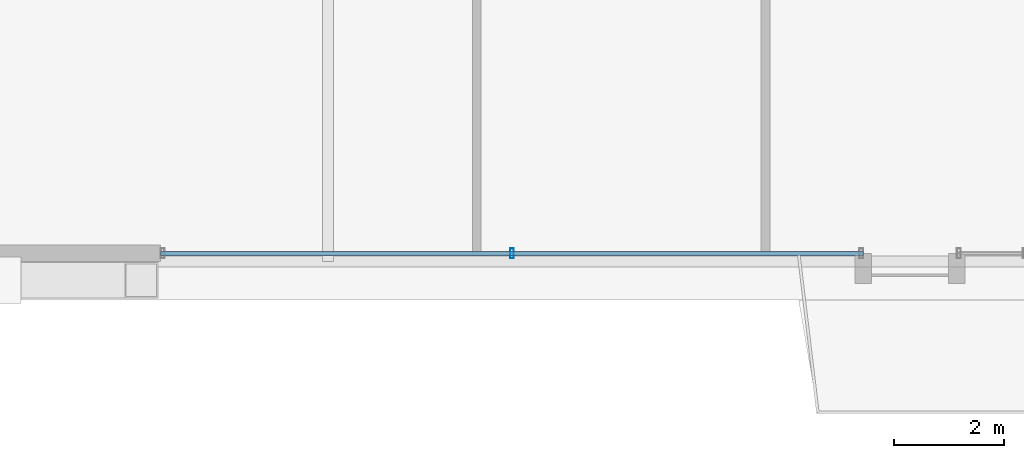
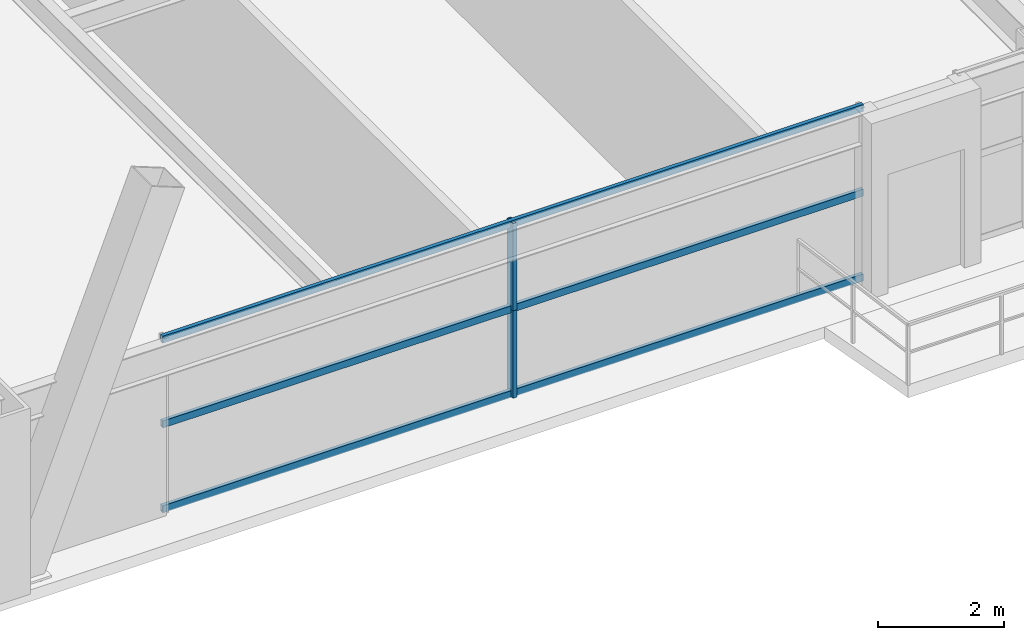
# One storey, part 6 of 43: 5 members, 1 element without a shape of its own.
"""IFC4 building model written with IfcOpenShell, lengths in metres."""

from ifc_helpers import new_model, si_unit, direction, frame, origin, origin_2d, place, context, subcontext, project, spatial, hollow_rectangle, extrude, source, transform, mapped, material, layer, layer_set, material_profile, profile_set, type_object, element, aggregate, save


model = new_model("IFC4")

# Units and contexts
model_context = context("Model", 3, precision=1e-05, world=origin(), true_north=direction((0.0, 1.0)))
body_context = subcontext(model_context, "Body", "Model", "MODEL_VIEW")
ifc_project = project(units=[si_unit("LENGTHUNIT", "METRE"), si_unit("AREAUNIT", "SQUARE_METRE"), si_unit("VOLUMEUNIT", "CUBIC_METRE"), si_unit("PLANEANGLEUNIT", "RADIAN"), si_unit("MASSUNIT", "GRAM", prefix="KILO"), si_unit("THERMODYNAMICTEMPERATUREUNIT", "KELVIN"), si_unit("POWERUNIT", "WATT")], contexts=[model_context])

# Site, building, storey
site_placement = place(None, origin())
site = spatial("IfcSite", under=ifc_project, at=site_placement, CompositionType="ELEMENT")
building_placement = place(site_placement, origin())
building = spatial("IfcBuilding", under=site, at=building_placement, Name="Yuzanri Waterfront Tower", CompositionType="ELEMENT")
storey_placement = place(building_placement, frame((0.0, 0.0, 138.0)))
storey = spatial("IfcBuildingStorey", under=building, at=storey_placement, Name="L36", CompositionType="ELEMENT", Elevation=138.0)

# Curtain wall, members
ifc_material_1 = material(Name="Anodized Architectural Bronze", Category="metal")
ifc_layer = layer(ifc_material_1, 0.159912109375)
ifc_layer_set = layer_set([ifc_layer], Name="Anodized Architectural Bronze")
curtain_wall_type = type_object("IfcCurtainWallType", Name="Anodized Bronze Hotel Upper-Tier Solar-Control Unitized Curtain Wall 7800", PredefinedType="NOTDEFINED", material=ifc_layer_set)
curtain_wall_placement = place(storey_placement, origin())
curtain_wall = element("IfcCurtainWall", 1, at=curtain_wall_placement, inside=storey, type_object=curtain_wall_type, Name="L36 Curtain Wall CW-L36-SL1", PredefinedType="NOTDEFINED")
ifc_material_2 = material(Name="Anodized Architectural Bronze", Category="metal")
ifc_material_profile_1 = material_profile(ifc_material_2, hollow_rectangle(XDim=0.070068359375, YDim=0.179931640625, WallThickness=0.00390625, at=origin_2d()), Name="CWM 70x180")
ifc_profile_set_1 = profile_set([ifc_material_profile_1], Name="Anodized Architectural Bronze")
member_type_1 = type_object("IfcMemberType", Name="Anodized Bronze Standard Curtain-Wall Mullion 70x180", PredefinedType="MULLION", material=ifc_profile_set_1)
shared_shape_1 = source(origin(), body_context, "Body", "SweptSolid", [
    extrude(hollow_rectangle(XDim=0.070068359375, YDim=0.179931640625, WallThickness=0.00390625, at=origin_2d()), origin(), (0.0, 0.0, 1.0), 1.68798828125),
])
member_1_placement = place(storey_placement, frame((27.157958984375, 2.35009765625, 0.0), z_axis=(0.0, 0.0, 1.0), x_axis=(1.0, 0.0, 0.0)))
member_1 = element("IfcMember", 2, at=member_1_placement, type_object=member_type_1, Name="CW-L36-SL1 Lower Mullion 01", PredefinedType="MULLION", context=body_context, shape_type="MappedRepresentation", body=[
    mapped(shared_shape_1, transform((0.0, 0.0, 0.0), scale=1.0)),
])
member_2_placement = place(storey_placement, frame((27.157958984375, 2.35009765625, 1.69189453125), z_axis=(0.0, 0.0, 1.0), x_axis=(1.0, 0.0, 0.0)))
member_2 = element("IfcMember", 3, at=member_2_placement, type_object=member_type_1, Name="CW-L36-SL1 Upper Mullion 01", PredefinedType="MULLION", context=body_context, shape_type="MappedRepresentation", body=[
    mapped(shared_shape_1, transform((0.0, 0.0, 0.0), scale=1.0)),
])
ifc_material_3 = material(Name="Anodized Architectural Bronze", Category="metal")
ifc_material_profile_2 = material_profile(ifc_material_3, hollow_rectangle(XDim=0.070068359375, YDim=0.135009765625, WallThickness=0.00341796875, at=origin_2d()), Name="CWT 70x135")
ifc_profile_set_2 = profile_set([ifc_material_profile_2], Name="Anodized Architectural Bronze")
member_type_2 = type_object("IfcMemberType", Name="Anodized Bronze Standard Curtain-Wall Transom 70x135", PredefinedType="USERDEFINED", material=ifc_profile_set_2)
shared_shape_2 = source(origin(), body_context, "Body", "SweptSolid", [
    extrude(hollow_rectangle(XDim=0.070068359375, YDim=0.135009765625, WallThickness=0.00341796875, at=origin_2d()), origin(), (0.0, 0.0, 1.0), 12.81591796875),
])
member_3_placement = place(storey_placement, frame((20.75, 2.35009765625, 0.050048828125), z_axis=(1.0, 0.0, 0.0), x_axis=(0.0, 1.0, 0.0)))
member_3 = element("IfcMember", 4, at=member_3_placement, type_object=member_type_2, Name="CW-L36-SL1 Transom 1", ObjectType="TRANSOM", PredefinedType="USERDEFINED", context=body_context, shape_type="MappedRepresentation", body=[
    mapped(shared_shape_2, transform((0.0, 0.0, 0.0), scale=1.0)),
])
member_4_placement = place(storey_placement, frame((20.75, 2.35009765625, 1.68994140625), z_axis=(1.0, 0.0, 0.0), x_axis=(0.0, 1.0, 0.0)))
member_4 = element("IfcMember", 5, at=member_4_placement, type_object=member_type_2, Name="CW-L36-SL1 Transom 2", ObjectType="TRANSOM", PredefinedType="USERDEFINED", context=body_context, shape_type="MappedRepresentation", body=[
    mapped(shared_shape_2, transform((0.0, 0.0, 0.0), scale=1.0)),
])
member_5_placement = place(storey_placement, frame((20.75, 2.35009765625, 3.330078125), z_axis=(1.0, 0.0, 0.0), x_axis=(0.0, 1.0, 0.0)))
member_5 = element("IfcMember", 6, at=member_5_placement, type_object=member_type_2, Name="CW-L36-SL1 Transom 3", ObjectType="TRANSOM", PredefinedType="USERDEFINED", context=body_context, shape_type="MappedRepresentation", body=[
    mapped(shared_shape_2, transform((0.0, 0.0, 0.0), scale=1.0)),
])
aggregate(curtain_wall, [member_1, member_2, member_3, member_4, member_5])

save(model, "model.ifc")
